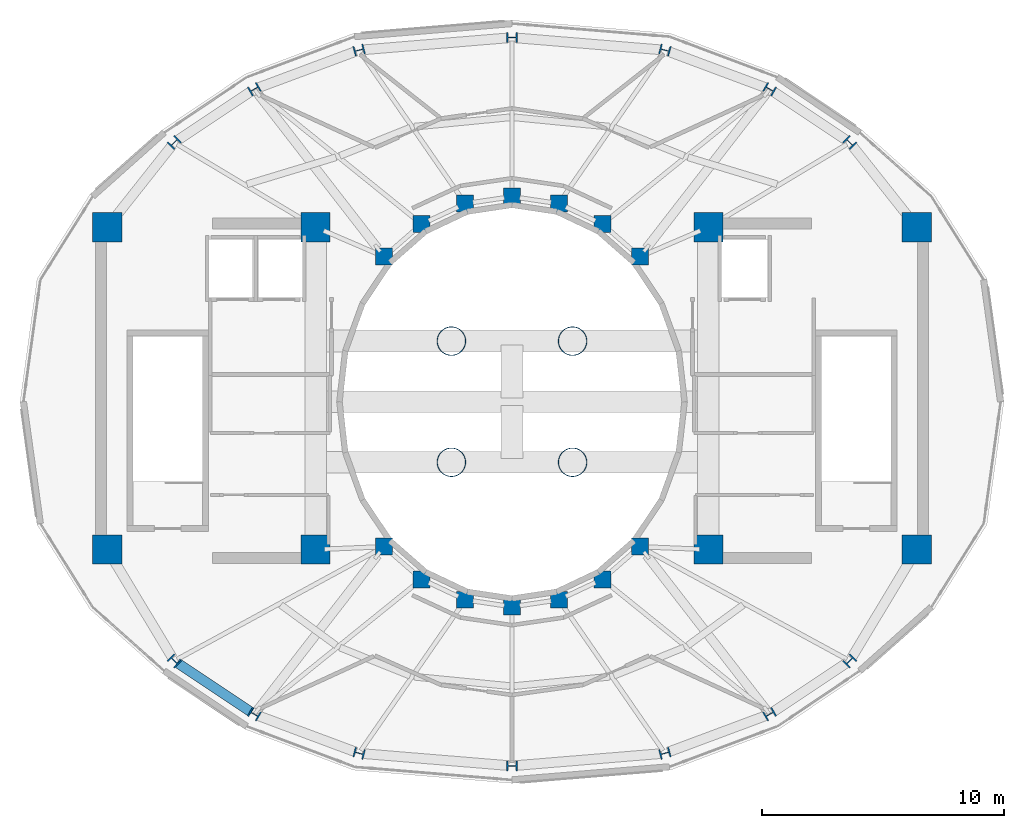
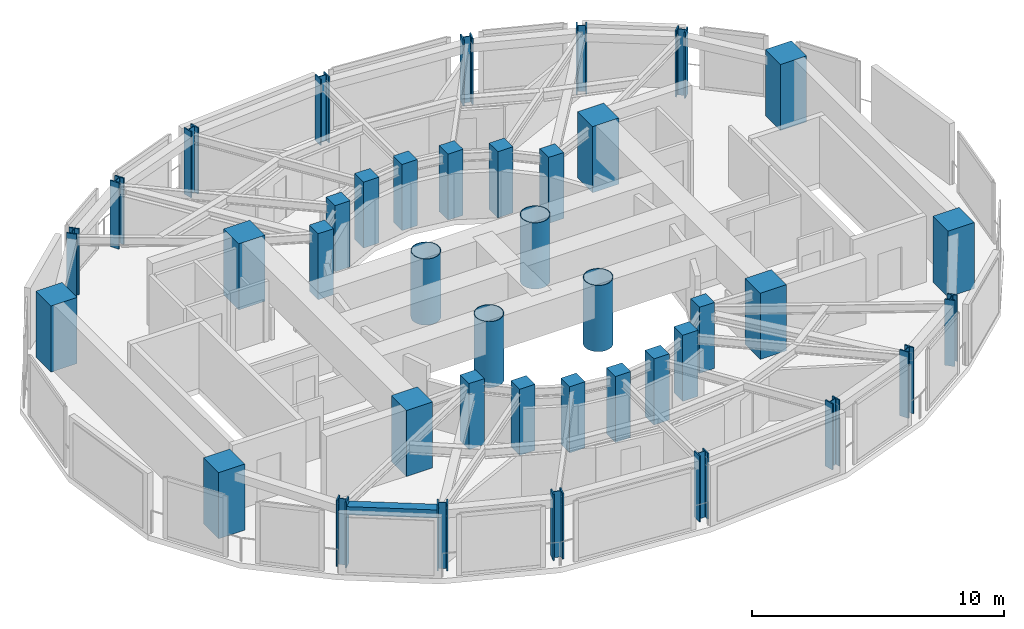
# One storey, part 1 of 17: 40 columns, 1 beam.
"""IFC4 building model written with IfcOpenShell, lengths in metres."""

from ifc_helpers import new_model, si_unit, direction, frame, origin, origin_2d, place, context, subcontext, project, spatial, rectangle, hollow_rectangle, hollow_circle, i_section, extrude, material, material_profile, profile_set, type_object, element, save


model = new_model("IFC4")

# Units and contexts
model_context = context("Model", 3, precision=1e-05, world=origin(), true_north=direction((0.0, 1.0)))
body_context = subcontext(model_context, "Body", "Model", "MODEL_VIEW")
ifc_project = project(units=[si_unit("LENGTHUNIT", "METRE"), si_unit("AREAUNIT", "SQUARE_METRE"), si_unit("VOLUMEUNIT", "CUBIC_METRE"), si_unit("PLANEANGLEUNIT", "RADIAN"), si_unit("MASSUNIT", "GRAM", prefix="KILO")], contexts=[model_context])

# Site, building, storey
site_placement = place(None, origin())
site = spatial("IfcSite", under=ifc_project, at=site_placement, CompositionType="ELEMENT")
building_placement = place(site_placement, origin())
building = spatial("IfcBuilding", under=site, at=building_placement, Name="Solvane Sanctuary Tower", CompositionType="ELEMENT")
storey_placement = place(building_placement, frame((0.0, 0.0, 276.39990234375)))
storey = spatial("IfcBuildingStorey", under=building, at=storey_placement, Name="L84", CompositionType="ELEMENT", Elevation=276.39990234375)

# Columns
ifc_material_1 = material(Name="Steel ASTM A913 Grade 65", Category="steel")
ifc_material_profile_1 = material_profile(ifc_material_1, i_section(OverallWidth=0.412109375, OverallDepth=0.43505859375, WebThickness=0.035888671875, FlangeThickness=0.057373046875, FilletRadius=0.02490234375, at=origin_2d()), Name="W14X311")
ifc_profile_set_1 = profile_set([ifc_material_profile_1], Name="Steel ASTM A913 Grade 65")
column_type_1 = type_object("IfcColumnType", Name="Column C-CROWN W14X311", PredefinedType="COLUMN", material=ifc_profile_set_1)
for number, where, z_axis, x_axis, name in (
    (1, (45.93505859375, 33.693115234375, 0.0), (0.0, 0.0, 1.0), (0.707106781187, 0.707106781187, 0.0), "L84 Perimeter Tube Column TC01"),
    (2, (42.632080078125, 35.89501953125, 0.0), (0.0, 0.0, 1.0), (0.5, 0.866025403784, 0.0), "L84 Perimeter Tube Column TC02"),
    (3, (38.308349609375, 37.505859375, 0.0), (0.0, 0.0, 1.0), (0.258819045103, 0.965925826289, 0.0), "L84 Perimeter Tube Column TC03"),
    (4, (32.0, 38.02490234375, 0.0), (0.0, 0.0, 1.0), (0.0, 1.0, 0.0), "L84 Perimeter Tube Column TC04"),
    (5, (25.691650390625, 37.505859375, 0.0), (0.0, 0.0, 1.0), (-0.258819045103, 0.965925826289, 0.0), "L84 Perimeter Tube Column TC05"),
    (6, (21.367919921875, 35.89501953125, 0.0), (0.0, 0.0, 1.0), (-0.5, 0.866025403784, 0.0), "L84 Perimeter Tube Column TC06"),
    (7, (18.06494140625, 33.693115234375, 0.0), (0.0, 0.0, 1.0), (-0.707106781187, 0.707106781187, 0.0), "L84 Perimeter Tube Column TC07"),
    (8, (18.06494140625, 12.306884765625, 0.0), (0.0, 0.0, 1.0), (-0.707106781187, -0.707106781187, 0.0), "L84 Perimeter Tube Column TC08"),
    (9, (21.367919921875, 10.10498046875, 0.0), (0.0, 0.0, 1.0), (-0.5, -0.866025403784, 0.0), "L84 Perimeter Tube Column TC09"),
    (10, (25.691650390625, 8.494140625, 0.0), (0.0, 0.0, 1.0), (-0.258819045103, -0.965925826289, 0.0), "L84 Perimeter Tube Column TC10"),
    (11, (32.0, 7.97509765625, 0.0), (0.0, 0.0, 1.0), (0.0, -1.0, 0.0), "L84 Perimeter Tube Column TC11"),
    (12, (38.308349609375, 8.494140625, 0.0), (0.0, 0.0, 1.0), (0.258819045103, -0.965925826289, 0.0), "L84 Perimeter Tube Column TC12"),
    (13, (42.632080078125, 10.10498046875, 0.0), (0.0, 0.0, 1.0), (0.5, -0.866025403784, 0.0), "L84 Perimeter Tube Column TC13"),
    (14, (45.93505859375, 12.306884765625, 0.0), (0.0, 0.0, 1.0), (0.707106781187, -0.707106781187, 0.0), "L84 Perimeter Tube Column TC14"),
):
    element("IfcColumn", number, at=place(storey_placement, frame(where, z_axis=z_axis, x_axis=x_axis)), inside=storey, type_object=column_type_1, Name=name, PredefinedType="COLUMN", context=body_context, shape_type="SweptSolid", body=[
        extrude(i_section(OverallWidth=0.412109375, OverallDepth=0.43505859375, WebThickness=0.035888671875, FlangeThickness=0.057373046875, FilletRadius=0.02490234375, at=origin_2d()), origin(), (0.0, 0.0, 1.0), 3.2001953125),
    ])
ifc_material_2 = material(Name="Concrete C50/60", Category="concrete")
ifc_material_profile_2 = material_profile(ifc_material_2, rectangle(XDim=0.699951171875, YDim=0.699951171875, at=origin_2d()), Name="RC700X700")
ifc_profile_set_2 = profile_set([ifc_material_profile_2], Name="Concrete C50/60")
column_type_2 = type_object("IfcColumnType", Name="Column C-RING-Z4 RC700X700", PredefinedType="COLUMN", material=ifc_profile_set_2)
for number, where, z_axis, x_axis, name in (
    (15, (37.27490234375, 28.982177734375, 0.0), (0.0, 0.0, 1.0), (1.0, 0.0, 0.0), "L84 Inner Light-Well Ring Column IC01"),
    (16, (35.72998046875, 30.32666015625, 0.0), (0.0, 0.0, 1.0), (1.0, 0.0, 0.0), "L84 Inner Light-Well Ring Column IC02"),
    (17, (33.930908203125, 31.171630859375, 0.0), (0.0, 0.0, 1.0), (1.0, 0.0, 0.0), "L84 Inner Light-Well Ring Column IC03"),
    (18, (32.0, 31.4599609375, 0.0), (0.0, 0.0, 1.0), (1.0, 0.0, 0.0), "L84 Inner Light-Well Ring Column IC04"),
    (19, (30.069091796875, 31.171630859375, 0.0), (0.0, 0.0, 1.0), (1.0, 0.0, 0.0), "L84 Inner Light-Well Ring Column IC05"),
    (20, (28.27001953125, 30.32666015625, 0.0), (0.0, 0.0, 1.0), (1.0, 0.0, 0.0), "L84 Inner Light-Well Ring Column IC06"),
    (21, (26.72509765625, 28.982177734375, 0.0), (0.0, 0.0, 1.0), (1.0, 0.0, 0.0), "L84 Inner Light-Well Ring Column IC07"),
    (22, (26.72509765625, 17.017822265625, 0.0), (0.0, 0.0, 1.0), (1.0, 0.0, 0.0), "L84 Inner Light-Well Ring Column IC08"),
    (23, (28.27001953125, 15.67333984375, 0.0), (0.0, 0.0, 1.0), (1.0, 0.0, 0.0), "L84 Inner Light-Well Ring Column IC09"),
    (24, (30.069091796875, 14.828369140625, 0.0), (0.0, 0.0, 1.0), (1.0, 0.0, 0.0), "L84 Inner Light-Well Ring Column IC10"),
    (25, (32.0, 14.5400390625, 0.0), (0.0, 0.0, 1.0), (1.0, 0.0, 0.0), "L84 Inner Light-Well Ring Column IC11"),
    (26, (33.930908203125, 14.828369140625, 0.0), (0.0, 0.0, 1.0), (1.0, 0.0, 0.0), "L84 Inner Light-Well Ring Column IC12"),
    (27, (35.72998046875, 15.67333984375, 0.0), (0.0, 0.0, 1.0), (1.0, 0.0, 0.0), "L84 Inner Light-Well Ring Column IC13"),
    (28, (37.27490234375, 17.017822265625, 0.0), (0.0, 0.0, 1.0), (1.0, 0.0, 0.0), "L84 Inner Light-Well Ring Column IC14"),
):
    element("IfcColumn", number, at=place(storey_placement, frame(where, z_axis=z_axis, x_axis=x_axis)), inside=storey, type_object=column_type_2, Name=name, PredefinedType="COLUMN", context=body_context, shape_type="SweptSolid", body=[
        extrude(rectangle(XDim=0.699951171875, YDim=0.699951171875, at=origin_2d()), origin(), (0.0, 0.0, 1.0), 3.2001953125),
    ])
ifc_material_profile_3 = material_profile(ifc_material_1, hollow_circle(Radius=0.60009765625, WallThickness=0.031982421875, at=origin_2d()), Name="CHS1200X32")
ifc_profile_set_3 = profile_set([ifc_material_profile_3], Name="Steel ASTM A913 Grade 65")
column_type_3 = type_object("IfcColumnType", Name="Column C-SPIRE-L CHS1200X32", PredefinedType="PILASTER", material=ifc_profile_set_3)
for number, where, z_axis, x_axis, name in (
    (29, (29.5, 20.5, 0.0), (0.0, 0.0, 1.0), (1.0, 0.0, 0.0), "L84 Spire Lower Anchorage Pilaster Leg 1"),
    (30, (34.5, 20.5, 0.0), (0.0, 0.0, 1.0), (1.0, 0.0, 0.0), "L84 Spire Lower Anchorage Pilaster Leg 2"),
    (31, (34.5, 25.5, 0.0), (0.0, 0.0, 1.0), (1.0, 0.0, 0.0), "L84 Spire Lower Anchorage Pilaster Leg 3"),
    (32, (29.5, 25.5, 0.0), (0.0, 0.0, 1.0), (1.0, 0.0, 0.0), "L84 Spire Lower Anchorage Pilaster Leg 4"),
):
    element("IfcColumn", number, at=place(storey_placement, frame(where, z_axis=z_axis, x_axis=x_axis)), inside=storey, type_object=column_type_3, Name=name, PredefinedType="PILASTER", context=body_context, shape_type="SweptSolid", body=[
        extrude(hollow_circle(Radius=0.60009765625, WallThickness=0.031982421875, at=origin_2d()), origin(), (0.0, 0.0, 1.0), 3.2001953125),
    ])
ifc_material_3 = material(Name="Concrete C70/85", Category="concrete")
ifc_material_profile_4 = material_profile(ifc_material_3, rectangle(XDim=1.199951171875, YDim=1.199951171875, at=origin_2d()), Name="RC1200X1200")
ifc_profile_set_4 = profile_set([ifc_material_profile_4], Name="Concrete C70/85")
column_type_4 = type_object("IfcColumnType", Name="Column C-TUBE-Z1 RC1200X1200", PredefinedType="COLUMN", material=ifc_profile_set_4)
for number, where, z_axis, x_axis, name in (
    (33, (15.300048828125, 16.89990234375, 0.0), (0.0, 0.0, 1.0), (1.0, 0.0, 0.0), "L84 Core Corner Column CW1"),
    (34, (23.89990234375, 16.89990234375, 0.0), (0.0, 0.0, 1.0), (1.0, 0.0, 0.0), "L84 Core Corner Column CW2"),
    (35, (23.89990234375, 30.199951171875, 0.0), (0.0, 0.0, 1.0), (1.0, 0.0, 0.0), "L84 Core Corner Column CW3"),
    (36, (15.300048828125, 30.199951171875, 0.0), (0.0, 0.0, 1.0), (1.0, 0.0, 0.0), "L84 Core Corner Column CW4"),
    (37, (40.10009765625, 16.89990234375, 0.0), (0.0, 0.0, 1.0), (1.0, 0.0, 0.0), "L84 Core Corner Column CE1"),
    (38, (48.699951171875, 16.89990234375, 0.0), (0.0, 0.0, 1.0), (1.0, 0.0, 0.0), "L84 Core Corner Column CE2"),
    (39, (48.699951171875, 30.199951171875, 0.0), (0.0, 0.0, 1.0), (1.0, 0.0, 0.0), "L84 Core Corner Column CE3"),
    (40, (40.10009765625, 30.199951171875, 0.0), (0.0, 0.0, 1.0), (1.0, 0.0, 0.0), "L84 Core Corner Column CE4"),
):
    element("IfcColumn", number, at=place(storey_placement, frame(where, z_axis=z_axis, x_axis=x_axis)), inside=storey, type_object=column_type_4, Name=name, PredefinedType="COLUMN", context=body_context, shape_type="SweptSolid", body=[
        extrude(rectangle(XDim=1.199951171875, YDim=1.199951171875, at=origin_2d()), origin(), (0.0, 0.0, 1.0), 3.2001953125),
    ])

# Beam
ifc_material_profile_5 = material_profile(ifc_material_1, hollow_rectangle(XDim=0.39990234375, YDim=0.39990234375, WallThickness=0.01611328125, at=origin_2d()), Name="HSS400X400X16")
ifc_profile_set_5 = profile_set([ifc_material_profile_5], Name="Steel ASTM A913 Grade 65")
beam_type = type_object("IfcBeamType", Name="Beam B-CROWN-CAP HSS400X400X16", PredefinedType="T_BEAM", material=ifc_profile_set_5)
beam_placement = place(storey_placement, frame((18.181396484375, 12.22900390625, 2.748046875), z_axis=(0.832121550366, -0.554593297306, 0.0), x_axis=(0.554593297306, 0.832121550366, 0.0)))
element("IfcBeam", 41, at=beam_placement, inside=storey, type_object=beam_type, Name="L84 Perimeter Spandrel Beam TC08-TC09", PredefinedType="T_BEAM", context=body_context, shape_type="SweptSolid", body=[
    extrude(hollow_rectangle(XDim=0.39990234375, YDim=0.39990234375, WallThickness=0.01611328125, at=origin_2d()), origin(), (0.0, 0.0, 1.0), 3.689453125),
])

save(model, "model.ifc")
